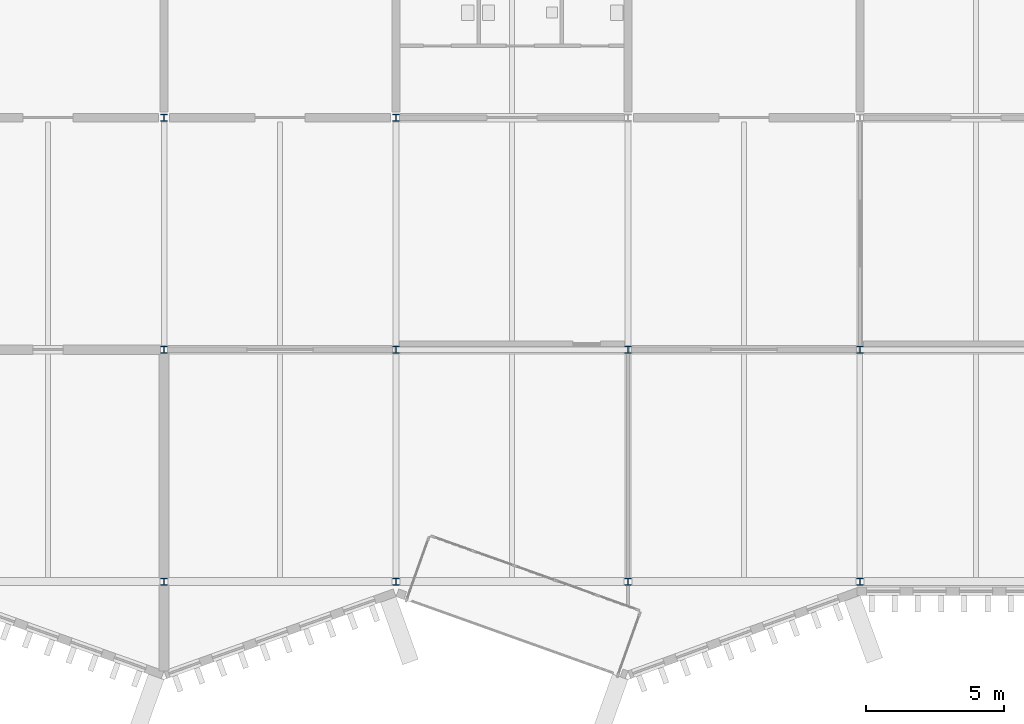
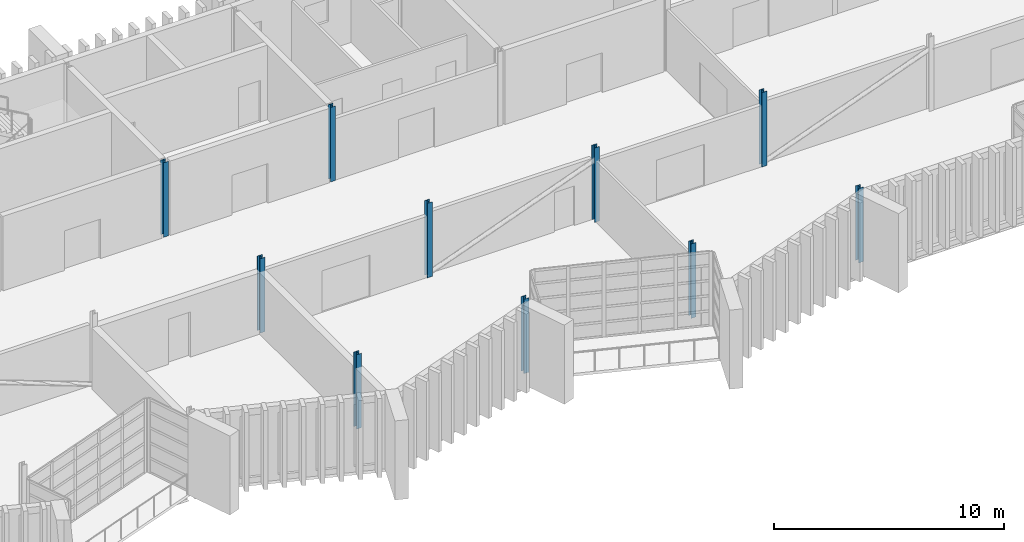
# One storey, part 3 of 88: 10 columns.
"""IFC4 building model written with IfcOpenShell, lengths in metres."""

from ifc_helpers import new_model, si_unit, direction, frame, origin, origin_2d, place, context, subcontext, project, spatial, i_section, extrude, material, material_profile, profile_set, type_object, element, save


model = new_model("IFC4")

# Units and contexts
model_context = context("Model", 3, precision=1e-05, world=origin(), true_north=direction((0.0, 1.0)))
body_context = subcontext(model_context, "Body", "Model", "MODEL_VIEW")
ifc_project = project(units=[si_unit("LENGTHUNIT", "METRE"), si_unit("AREAUNIT", "SQUARE_METRE"), si_unit("VOLUMEUNIT", "CUBIC_METRE"), si_unit("PLANEANGLEUNIT", "RADIAN"), si_unit("MASSUNIT", "GRAM", prefix="KILO")], contexts=[model_context])

# Site, building, storey
site_placement = place(None, origin())
site = spatial("IfcSite", under=ifc_project, at=site_placement, CompositionType="ELEMENT")
building_placement = place(site_placement, origin())
building = spatial("IfcBuilding", under=site, at=building_placement, Name="Cresset Court Congress Hotel", CompositionType="ELEMENT")
storey_placement = place(building_placement, frame((0.0, 0.0, 14.39990234375)))
storey = spatial("IfcBuildingStorey", under=building, at=storey_placement, Name="L03", CompositionType="ELEMENT", Elevation=14.39990234375)

# Columns
ifc_material = material(Name="Structural steel Q355B", Category="steel")
ifc_material_profile = material_profile(ifc_material, i_section(OverallWidth=0.25, OverallDepth=0.25, WebThickness=0.009033203125, FlangeThickness=0.013916015625, FilletRadius=0.012939453125, at=origin_2d()), Name="HW250x250x9x14")
ifc_profile_set = profile_set([ifc_material_profile], Name="Structural steel Q355B")
column_type = type_object("IfcColumnType", Name="Steel column HW250x250x9x14", PredefinedType="COLUMN", material=ifc_profile_set)
for number, where, z_axis, x_axis, name in (
    (1, (42.0, 0.0, 0.0), (0.0, 0.0, 1.0), (1.0, 0.0, 0.0), "B.col.L03.06A"),
    (2, (42.0, 8.39990234375, 0.0), (0.0, 0.0, 1.0), (1.0, 0.0, 0.0), "B.col.L03.06B"),
    (3, (42.0, 16.800048828125, 0.0), (0.0, 0.0, 1.0), (1.0, 0.0, 0.0), "B.col.L03.06C"),
    (4, (50.39990234375, 0.0, 0.0), (0.0, 0.0, 1.0), (1.0, 0.0, 0.0), "B.col.L03.07A"),
    (5, (50.39990234375, 8.39990234375, 0.0), (0.0, 0.0, 1.0), (1.0, 0.0, 0.0), "B.col.L03.07B"),
    (6, (50.39990234375, 16.800048828125, 0.0), (0.0, 0.0, 1.0), (1.0, 0.0, 0.0), "B.col.L03.07C"),
    (7, (58.800048828125, 0.0, 0.0), (0.0, 0.0, 1.0), (1.0, 0.0, 0.0), "B.col.L03.08A"),
    (8, (58.800048828125, 8.39990234375, 0.0), (0.0, 0.0, 1.0), (1.0, 0.0, 0.0), "B.col.L03.08B"),
    (9, (67.199951171875, 0.0, 0.0), (0.0, 0.0, 1.0), (1.0, 0.0, 0.0), "B.col.L03.09A"),
    (10, (67.199951171875, 8.39990234375, 0.0), (0.0, 0.0, 1.0), (1.0, 0.0, 0.0), "B.col.L03.09B"),
):
    element("IfcColumn", number, at=place(storey_placement, frame(where, z_axis=z_axis, x_axis=x_axis)), inside=storey, type_object=column_type, Name=name, PredefinedType="COLUMN", context=body_context, shape_type="SweptSolid", body=[
        extrude(i_section(OverallWidth=0.25, OverallDepth=0.25, WebThickness=0.009033203125, FlangeThickness=0.013916015625, FilletRadius=0.012939453125, at=origin_2d()), origin(), (0.0, 0.0, 1.0), 3.9501953125),
    ])

save(model, "model.ifc")
